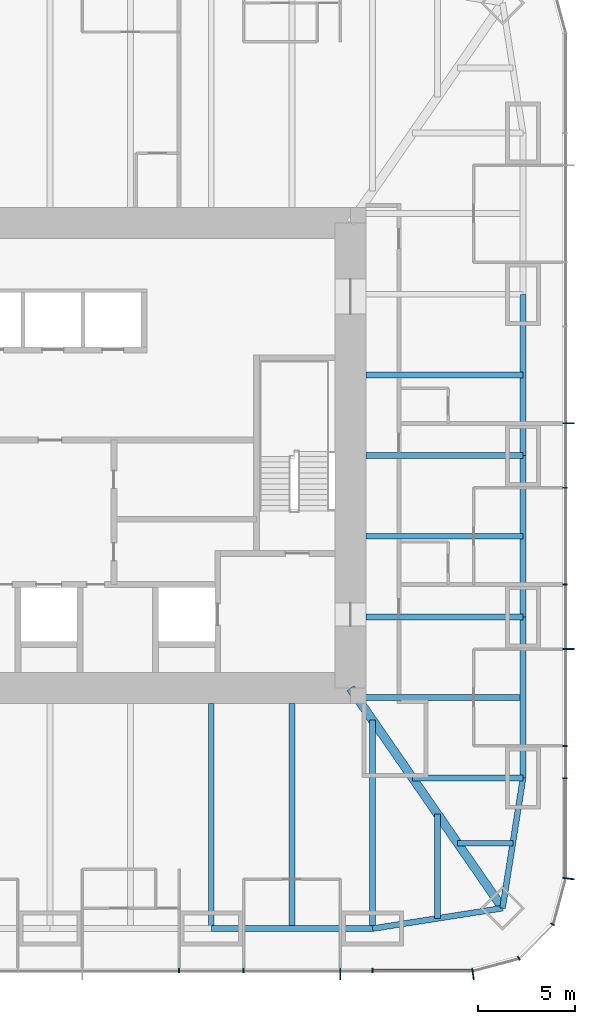
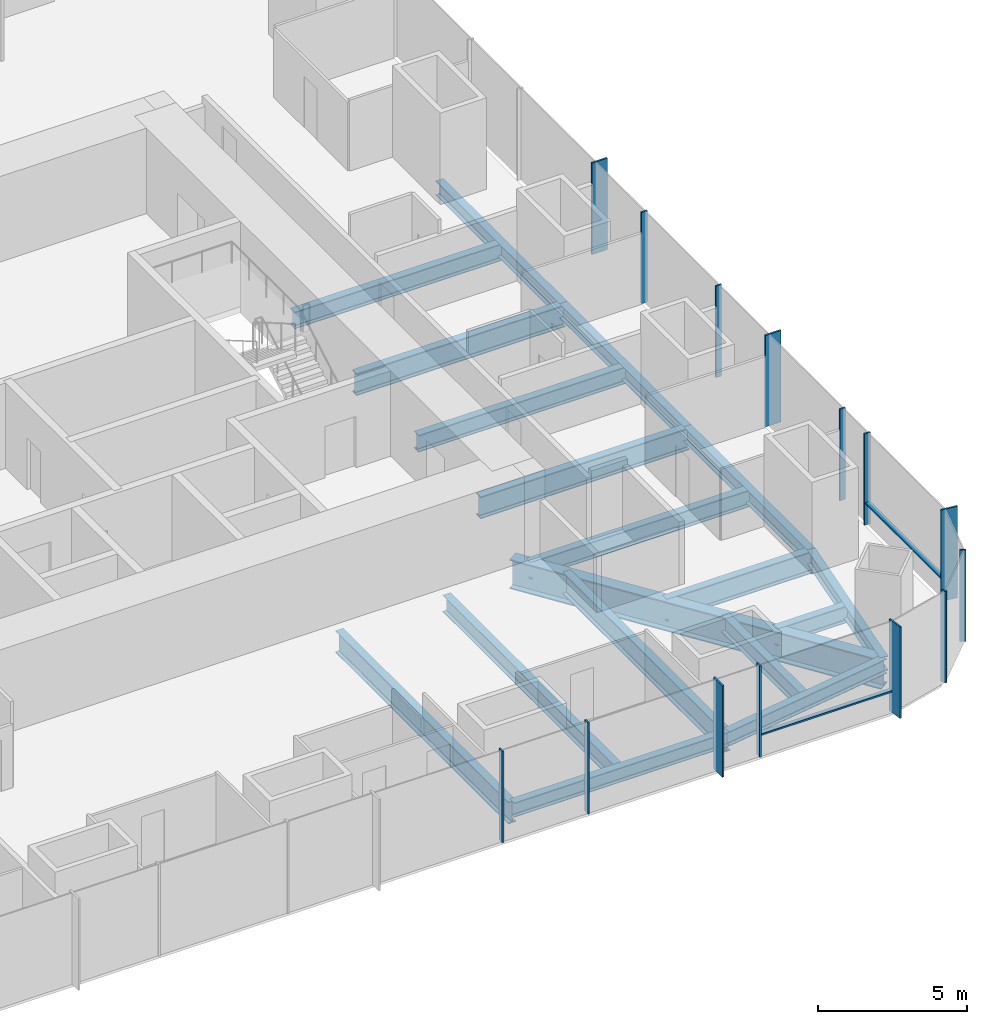
# One storey, part 4 of 12: 18 beams, 16 members, 3 elements without a shape of their own.
"""IFC4 building model written with IfcOpenShell, lengths in metres."""

from ifc_helpers import new_model, si_unit, direction, frame, origin, origin_2d, place, context, subcontext, project, spatial, rectangle, i_section, extrude, material, material_profile, profile_set, type_object, element, aggregate, save


model = new_model("IFC4")

# Units and contexts
model_context = context("Model", 3, precision=1e-05, world=origin(), true_north=direction((0.0, 1.0)))
body_context = subcontext(model_context, "Body", "Model", "MODEL_VIEW")
ifc_project = project(units=[si_unit("LENGTHUNIT", "METRE"), si_unit("AREAUNIT", "SQUARE_METRE"), si_unit("VOLUMEUNIT", "CUBIC_METRE"), si_unit("PLANEANGLEUNIT", "RADIAN"), si_unit("MASSUNIT", "GRAM", prefix="KILO")], contexts=[model_context])

# Site, building, storey
site_placement = place(None, origin())
site = spatial("IfcSite", under=ifc_project, at=site_placement, CompositionType="ELEMENT")
building_placement = place(site_placement, origin())
building = spatial("IfcBuilding", under=site, at=building_placement, Name="Khuree Lantern Residences", CompositionType="ELEMENT")
storey_placement = place(building_placement, frame((0.0, 0.0, 207.0)))
storey = spatial("IfcBuildingStorey", under=building, at=storey_placement, Name="L51", CompositionType="ELEMENT", Elevation=207.0)

# Beams
ifc_material_1 = material(Name="Steel S355", Category="steel")
ifc_material_profile_1 = material_profile(ifc_material_1, i_section(OverallWidth=0.300048828125, OverallDepth=0.68994140625, WebThickness=0.014404296875, FlangeThickness=0.027099609375, FilletRadius=0.027099609375, at=origin_2d()), Name="HE 700 A")
ifc_profile_set_1 = profile_set([ifc_material_profile_1], Name="Steel S355")
beam_type_1 = type_object("IfcBeamType", Name="B-31 SECONDARY BEAM HE 700 A", PredefinedType="BEAM", material=ifc_profile_set_1)
for number, where, z_axis, x_axis, name in (
    (1, (24.39990234375, 4.159912109375, -0.594970703125), (-1.0, 0.0, 0.0), (0.0, -1.0, 0.0), "Secondary beam E3"),
    (2, (24.39990234375, -4.159912109375, -0.594970703125), (-1.0, 0.0, 0.0), (0.0, -1.0, 0.0), "Secondary beam E4"),
):
    element("IfcBeam", number, at=place(storey_placement, frame(where, z_axis=z_axis, x_axis=x_axis)), inside=storey, type_object=beam_type_1, Name=name, PredefinedType="BEAM", context=body_context, shape_type="SweptSolid", body=[
        extrude(i_section(OverallWidth=0.300048828125, OverallDepth=0.68994140625, WebThickness=0.014404296875, FlangeThickness=0.027099609375, FilletRadius=0.027099609375, at=origin_2d()), origin(), (0.0, 0.0, 1.0), 8.099853515625),
    ])
beam_1_placement = place(storey_placement, frame((24.39990234375, -12.47998046875, -0.594970703125), z_axis=(-1.0, 0.0, 0.0), x_axis=(0.0, -1.0, 0.0)))
element("IfcBeam", 3, at=beam_1_placement, inside=storey, type_object=beam_type_1, Name="Secondary beam E5", PredefinedType="BEAM", context=body_context, shape_type="SweptSolid", body=[
    extrude(i_section(OverallWidth=0.300048828125, OverallDepth=0.68994140625, WebThickness=0.014404296875, FlangeThickness=0.027099609375, FilletRadius=0.027099609375, at=origin_2d()), origin(), (0.0, 0.0, 1.0), 8.56787109375),
])
beam_2_placement = place(storey_placement, frame((23.872802734375, -19.992919921875, -0.594970703125), z_axis=(-1.0, 0.0, 0.0), x_axis=(0.0, -1.0, 0.0)))
element("IfcBeam", 4, at=beam_2_placement, inside=storey, type_object=beam_type_1, Name="Secondary beam E6", PredefinedType="BEAM", context=body_context, shape_type="SweptSolid", body=[
    extrude(i_section(OverallWidth=0.300048828125, OverallDepth=0.68994140625, WebThickness=0.014404296875, FlangeThickness=0.027099609375, FilletRadius=0.027099609375, at=origin_2d()), origin(), (0.0, 0.0, 1.0), 2.845703125),
])
beam_3_placement = place(storey_placement, frame((19.992919921875, -23.872802734375, -0.594970703125), z_axis=(0.0, 1.0, 0.0), x_axis=(-1.0, 0.0, 0.0)))
element("IfcBeam", 5, at=beam_3_placement, inside=storey, type_object=beam_type_1, Name="Secondary beam S1", PredefinedType="BEAM", context=body_context, shape_type="SweptSolid", body=[
    extrude(i_section(OverallWidth=0.300048828125, OverallDepth=0.68994140625, WebThickness=0.014404296875, FlangeThickness=0.027099609375, FilletRadius=0.027099609375, at=origin_2d()), origin(), (0.0, 0.0, 1.0), 5.375732421875),
])
beam_4_placement = place(storey_placement, frame((12.47998046875, -24.39990234375, -0.594970703125), z_axis=(0.0, 1.0, 0.0), x_axis=(-1.0, 0.0, 0.0)))
element("IfcBeam", 6, at=beam_4_placement, inside=storey, type_object=beam_type_1, Name="Secondary beam S2", PredefinedType="BEAM", context=body_context, shape_type="SweptSolid", body=[
    extrude(i_section(OverallWidth=0.300048828125, OverallDepth=0.68994140625, WebThickness=0.014404296875, FlangeThickness=0.027099609375, FilletRadius=0.027099609375, at=origin_2d()), origin(), (0.0, 0.0, 1.0), 11.599853515625),
])
ifc_material_profile_2 = material_profile(ifc_material_1, i_section(OverallWidth=0.300048828125, OverallDepth=0.590087890625, WebThickness=0.012939453125, FlangeThickness=0.02490234375, FilletRadius=0.027099609375, at=origin_2d()), Name="HE 600 A")
ifc_profile_set_2 = profile_set([ifc_material_profile_2], Name="Steel S355")
beam_type_2 = type_object("IfcBeamType", Name="E-31 SPANDREL BEAM HE 600 A", PredefinedType="SPANDREL", material=ifc_profile_set_2)
for number, where, z_axis, x_axis, name in (
    (7, (24.39990234375, 8.320068359375, -0.544921875), (0.0, -1.0, 0.0), (1.0, 0.0, 0.0), "Spandrel beam E3"),
    (8, (24.39990234375, 0.0, -0.544921875), (0.0, -1.0, 0.0), (1.0, 0.0, 0.0), "Spandrel beam E4"),
):
    element("IfcBeam", number, at=place(storey_placement, frame(where, z_axis=z_axis, x_axis=x_axis)), inside=storey, type_object=beam_type_2, Name=name, PredefinedType="SPANDREL", context=body_context, shape_type="SweptSolid", body=[
        extrude(i_section(OverallWidth=0.300048828125, OverallDepth=0.590087890625, WebThickness=0.012939453125, FlangeThickness=0.02490234375, FilletRadius=0.027099609375, at=origin_2d()), origin(), (0.0, 0.0, 1.0), 8.320068359375),
    ])
beam_5_placement = place(storey_placement, frame((24.39990234375, -8.320068359375, -0.544921875), z_axis=(0.0, -1.0, 0.0), x_axis=(1.0, 0.0, 0.0)))
element("IfcBeam", 9, at=beam_5_placement, inside=storey, type_object=beam_type_2, Name="Spandrel beam E5", PredefinedType="SPANDREL", context=body_context, shape_type="SweptSolid", body=[
    extrude(i_section(OverallWidth=0.300048828125, OverallDepth=0.590087890625, WebThickness=0.012939453125, FlangeThickness=0.02490234375, FilletRadius=0.027099609375, at=origin_2d()), origin(), (0.0, 0.0, 1.0), 8.31982421875),
])
for number, where, z_axis, x_axis, name in (
    (10, (24.39990234375, -16.639892578125, -0.544921875), (-0.155299507442, -0.98786743189, 0.0), (0.98786743189, -0.155299507442, 0.0), "Spandrel beam E6"),
    (11, (23.345703125, -23.345703125, -0.544921875), (-0.98786743189, -0.155299507442, 0.0), (0.155299507442, -0.98786743189, 0.0), "Spandrel beam S1"),
):
    element("IfcBeam", number, at=place(storey_placement, frame(where, z_axis=z_axis, x_axis=x_axis)), inside=storey, type_object=beam_type_2, Name=name, PredefinedType="SPANDREL", context=body_context, shape_type="SweptSolid", body=[
        extrude(i_section(OverallWidth=0.300048828125, OverallDepth=0.590087890625, WebThickness=0.012939453125, FlangeThickness=0.02490234375, FilletRadius=0.027099609375, at=origin_2d()), origin(), (0.0, 0.0, 1.0), 6.7880859375),
    ])
beam_6_placement = place(storey_placement, frame((16.639892578125, -24.39990234375, -0.544921875), z_axis=(-1.0, 0.0, 0.0), x_axis=(0.0, -1.0, 0.0)))
element("IfcBeam", 12, at=beam_6_placement, inside=storey, type_object=beam_type_2, Name="Spandrel beam S2", PredefinedType="SPANDREL", context=body_context, shape_type="SweptSolid", body=[
    extrude(i_section(OverallWidth=0.300048828125, OverallDepth=0.590087890625, WebThickness=0.012939453125, FlangeThickness=0.02490234375, FilletRadius=0.027099609375, at=origin_2d()), origin(), (0.0, 0.0, 1.0), 8.31982421875),
])

# Curtain wall, member
ifc_material_2 = material(Name="Bronze anodised aluminium", Category="aluminium")
curtain_wall_type_1 = type_object("IfcCurtainWallType", Name="CW-T2 TOWER CORNER CURTAIN WALL", PredefinedType="USERDEFINED", material=ifc_material_2)
curtain_wall_1_placement = place(storey_placement, origin())
curtain_wall_1 = element("IfcCurtainWall", 13, at=curtain_wall_1_placement, inside=storey, type_object=curtain_wall_type_1, Name="L51 SOUTH-EAST CORNER CURTAIN WALL", ObjectType="Faceted corner curtain wall", PredefinedType="USERDEFINED")
ifc_material_profile_3 = material_profile(ifc_material_2, rectangle(XDim=0.06494140625, YDim=0.60009765625, at=origin_2d()), Name="F1 65X600")
ifc_profile_set_3 = profile_set([ifc_material_profile_3], Name="Bronze anodised aluminium")
member_type_1 = type_object("IfcMemberType", Name="F1 BRONZE FIN MULLION TOWER 65X600", PredefinedType="MULLION", material=ifc_profile_set_3)
member_1_placement = place(storey_placement, frame((21.81982421875, -26.75, 0.0), z_axis=(0.0, 0.0, 1.0), x_axis=(0.991444862943, 0.130526180298, 0.0)))
member_1 = element("IfcMember", 14, at=member_1_placement, type_object=member_type_1, Name="L51 SOUTH-EAST CORNER FIN MULLION 1", PredefinedType="MULLION", context=body_context, shape_type="SweptSolid", body=[
    extrude(rectangle(XDim=0.06494140625, YDim=0.60009765625, at=origin_2d()), origin(), (0.0, 0.0, 1.0), 3.75),
])

# Curtain wall, members
curtain_wall_type_2 = type_object("IfcCurtainWallType", Name="CW-T1 TOWER FACE CURTAIN WALL", PredefinedType="USERDEFINED", material=ifc_material_2)
curtain_wall_2_placement = place(storey_placement, origin())
curtain_wall_2 = element("IfcCurtainWall", 15, at=curtain_wall_2_placement, inside=storey, type_object=curtain_wall_type_2, Name="L51 EAST FACE CURTAIN WALL", ObjectType="Stick-built curtain wall", PredefinedType="USERDEFINED")
member_2_placement = place(storey_placement, frame((26.75, -21.81982421875, 0.0), z_axis=(0.0, 0.0, 1.0), x_axis=(0.130526180298, 0.991444862943, 0.0)))
member_2 = element("IfcMember", 16, at=member_2_placement, type_object=member_type_1, Name="L51 EAST FACE FIN MULLION 4", PredefinedType="MULLION", context=body_context, shape_type="SweptSolid", body=[
    extrude(rectangle(XDim=0.06494140625, YDim=0.60009765625, at=origin_2d()), origin(), (0.0, 0.0, 1.0), 3.75),
])
member_3_placement = place(storey_placement, frame((26.75, -9.98388671875, 0.0), z_axis=(0.0, 0.0, 1.0), x_axis=(0.0, 1.0, 0.0)))
member_3 = element("IfcMember", 17, at=member_3_placement, type_object=member_type_1, Name="L51 EAST FACE FIN MULLION 7", PredefinedType="MULLION", context=body_context, shape_type="SweptSolid", body=[
    extrude(rectangle(XDim=0.06494140625, YDim=0.60009765625, at=origin_2d()), origin(), (0.0, 0.0, 1.0), 3.75),
])
member_4_placement = place(storey_placement, frame((26.75, 1.6640625, 0.0), z_axis=(0.0, 0.0, 1.0), x_axis=(0.0, 1.0, 0.0)))
member_4 = element("IfcMember", 18, at=member_4_placement, type_object=member_type_1, Name="L51 EAST FACE FIN MULLION 10", PredefinedType="MULLION", context=body_context, shape_type="SweptSolid", body=[
    extrude(rectangle(XDim=0.06494140625, YDim=0.60009765625, at=origin_2d()), origin(), (0.0, 0.0, 1.0), 3.75),
])

# Curtain wall, member
curtain_wall_3_placement = place(storey_placement, origin())
curtain_wall_3 = element("IfcCurtainWall", 19, at=curtain_wall_3_placement, inside=storey, type_object=curtain_wall_type_2, Name="L51 SOUTH FACE CURTAIN WALL", ObjectType="Stick-built curtain wall", PredefinedType="USERDEFINED")
member_5_placement = place(storey_placement, frame((14.97607421875, -26.75, 0.0), z_axis=(0.0, 0.0, 1.0), x_axis=(1.0, 0.0, 0.0)))
member_5 = element("IfcMember", 20, at=member_5_placement, type_object=member_type_1, Name="L51 SOUTH FACE FIN MULLION 55", PredefinedType="MULLION", context=body_context, shape_type="SweptSolid", body=[
    extrude(rectangle(XDim=0.06494140625, YDim=0.60009765625, at=origin_2d()), origin(), (0.0, 0.0, 1.0), 3.75),
])

# Beams
ifc_material_profile_4 = material_profile(ifc_material_1, i_section(OverallWidth=0.300048828125, OverallDepth=0.89990234375, WebThickness=0.0185546875, FlangeThickness=0.034912109375, FilletRadius=0.030029296875, at=origin_2d()), Name="HE 900 B")
ifc_profile_set_4 = profile_set([ifc_material_profile_4], Name="Steel S355")
beam_type_3 = type_object("IfcBeamType", Name="G-31A GIRDER HE 900 B", PredefinedType="BEAM", material=ifc_profile_set_4)
for number, where, z_axis, x_axis, name in (
    (21, (24.39990234375, 0.0, -0.699951171875), (-1.0, 0.0, 0.0), (0.0, -1.0, 0.0), "Girder E3"),
    (22, (24.39990234375, -8.320068359375, -0.699951171875), (-1.0, 0.0, 0.0), (0.0, -1.0, 0.0), "Girder E4"),
):
    element("IfcBeam", number, at=place(storey_placement, frame(where, z_axis=z_axis, x_axis=x_axis)), inside=storey, type_object=beam_type_3, Name=name, PredefinedType="BEAM", context=body_context, shape_type="SweptSolid", body=[
        extrude(i_section(OverallWidth=0.300048828125, OverallDepth=0.89990234375, WebThickness=0.0185546875, FlangeThickness=0.034912109375, FilletRadius=0.030029296875, at=origin_2d()), origin(), (0.0, 0.0, 1.0), 8.099853515625),
    ])
beam_7_placement = place(storey_placement, frame((24.39990234375, -16.639892578125, -0.699951171875), z_axis=(-1.0, 0.0, 0.0), x_axis=(0.0, -1.0, 0.0)))
element("IfcBeam", 23, at=beam_7_placement, inside=storey, type_object=beam_type_3, Name="Girder E5", PredefinedType="BEAM", context=body_context, shape_type="SweptSolid", body=[
    extrude(i_section(OverallWidth=0.300048828125, OverallDepth=0.89990234375, WebThickness=0.0185546875, FlangeThickness=0.034912109375, FilletRadius=0.030029296875, at=origin_2d()), origin(), (0.0, 0.0, 1.0), 5.69140625),
])
beam_8_placement = place(storey_placement, frame((16.639892578125, -24.39990234375, -0.699951171875), z_axis=(0.0, 1.0, 0.0), x_axis=(-1.0, 0.0, 0.0)))
element("IfcBeam", 24, at=beam_8_placement, inside=storey, type_object=beam_type_3, Name="Girder S1", PredefinedType="BEAM", context=body_context, shape_type="SweptSolid", body=[
    extrude(i_section(OverallWidth=0.300048828125, OverallDepth=0.89990234375, WebThickness=0.0185546875, FlangeThickness=0.034912109375, FilletRadius=0.030029296875, at=origin_2d()), origin(), (0.0, 0.0, 1.0), 10.751220703125),
])
beam_9_placement = place(storey_placement, frame((8.320068359375, -24.39990234375, -0.699951171875), z_axis=(0.0, 1.0, 0.0), x_axis=(-1.0, 0.0, 0.0)))
element("IfcBeam", 25, at=beam_9_placement, inside=storey, type_object=beam_type_3, Name="Girder S2", PredefinedType="BEAM", context=body_context, shape_type="SweptSolid", body=[
    extrude(i_section(OverallWidth=0.300048828125, OverallDepth=0.89990234375, WebThickness=0.0185546875, FlangeThickness=0.034912109375, FilletRadius=0.030029296875, at=origin_2d()), origin(), (0.0, 0.0, 1.0), 11.599853515625),
])
ifc_material_profile_5 = material_profile(ifc_material_1, i_section(OverallWidth=0.449951171875, OverallDepth=1.199951171875, WebThickness=0.02490234375, FlangeThickness=0.044921875, at=origin_2d()), Name="WELDED I 1200X450X25X45")
ifc_profile_set_5 = profile_set([ifc_material_profile_5], Name="Steel S355")
beam_type_4 = type_object("IfcBeamType", Name="GD-31 CORNER GIRDER WELDED I 1200X450X25X45", PredefinedType="BEAM", material=ifc_profile_set_5)
beam_10_placement = place(storey_placement, frame((23.345703125, -23.345703125, -0.85009765625), z_axis=(-0.56876813501, 0.822497907959, 0.0), x_axis=(-0.822497907959, -0.56876813501, 0.0)))
element("IfcBeam", 26, at=beam_10_placement, inside=storey, type_object=beam_type_4, Name="Corner girder SE", PredefinedType="BEAM", context=body_context, shape_type="SweptSolid", body=[
    extrude(i_section(OverallWidth=0.449951171875, OverallDepth=1.199951171875, WebThickness=0.02490234375, FlangeThickness=0.044921875, at=origin_2d()), origin(), (0.0, 0.0, 1.0), 13.794189453125),
])

# Member
ifc_material_profile_6 = material_profile(ifc_material_2, rectangle(XDim=0.06494140625, YDim=0.219970703125, at=origin_2d()), Name="M1 65X220")
ifc_profile_set_6 = profile_set([ifc_material_profile_6], Name="Bronze anodised aluminium")
member_type_2 = type_object("IfcMemberType", Name="M1 BRONZE MULLION TOWER 65X220", PredefinedType="MULLION", material=ifc_profile_set_6)
member_6_placement = place(storey_placement, frame((24.179931640625, -25.92236328125, 0.0), z_axis=(0.0, 0.0, 1.0), x_axis=(0.866025409797, 0.499999989586, 0.0)))
member_6 = element("IfcMember", 27, at=member_6_placement, type_object=member_type_2, Name="L51 SOUTH-EAST CORNER MULLION 2", PredefinedType="MULLION", context=body_context, shape_type="SweptSolid", body=[
    extrude(rectangle(XDim=0.06494140625, YDim=0.219970703125, at=origin_2d()), origin(), (0.0, 0.0, 1.0), 3.75),
])

member_7_placement = place(storey_placement, frame((25.92236328125, -24.179931640625, 0.0), z_axis=(0.0, 0.0, 1.0), x_axis=(0.499999989586, 0.866025409797, 0.0)))
member_7 = element("IfcMember", 28, at=member_7_placement, type_object=member_type_2, Name="L51 SOUTH-EAST CORNER MULLION 3", PredefinedType="MULLION", context=body_context, shape_type="SweptSolid", body=[
    extrude(rectangle(XDim=0.06494140625, YDim=0.219970703125, at=origin_2d()), origin(), (0.0, 0.0, 1.0), 3.75),
])

aggregate(curtain_wall_1, [member_1, member_6, member_7])

member_8_placement = place(storey_placement, frame((26.56005859375, -16.639892578125, 0.0), z_axis=(0.0, 0.0, 1.0), x_axis=(0.0, 1.0, 0.0)))
member_8 = element("IfcMember", 29, at=member_8_placement, type_object=member_type_2, Name="L51 EAST FACE MULLION 5", PredefinedType="MULLION", context=body_context, shape_type="SweptSolid", body=[
    extrude(rectangle(XDim=0.06494140625, YDim=0.219970703125, at=origin_2d()), origin(), (0.0, 0.0, 1.0), 3.75),
])

member_9_placement = place(storey_placement, frame((26.56005859375, -14.97607421875, 0.0), z_axis=(0.0, 0.0, 1.0), x_axis=(0.0, 1.0, 0.0)))
member_9 = element("IfcMember", 30, at=member_9_placement, type_object=member_type_2, Name="L51 EAST FACE MULLION 6", PredefinedType="MULLION", context=body_context, shape_type="SweptSolid", body=[
    extrude(rectangle(XDim=0.06494140625, YDim=0.219970703125, at=origin_2d()), origin(), (0.0, 0.0, 1.0), 3.75),
])

member_10_placement = place(storey_placement, frame((26.56005859375, -6.656005859375, 0.0), z_axis=(0.0, 0.0, 1.0), x_axis=(0.0, 1.0, 0.0)))
member_10 = element("IfcMember", 31, at=member_10_placement, type_object=member_type_2, Name="L51 EAST FACE MULLION 8", PredefinedType="MULLION", context=body_context, shape_type="SweptSolid", body=[
    extrude(rectangle(XDim=0.06494140625, YDim=0.219970703125, at=origin_2d()), origin(), (0.0, 0.0, 1.0), 3.75),
])

member_11_placement = place(storey_placement, frame((26.56005859375, -1.6640625, 0.0), z_axis=(0.0, 0.0, 1.0), x_axis=(0.0, 1.0, 0.0)))
member_11 = element("IfcMember", 32, at=member_11_placement, type_object=member_type_2, Name="L51 EAST FACE MULLION 9", PredefinedType="MULLION", context=body_context, shape_type="SweptSolid", body=[
    extrude(rectangle(XDim=0.06494140625, YDim=0.219970703125, at=origin_2d()), origin(), (0.0, 0.0, 1.0), 3.75),
])

member_12_placement = place(storey_placement, frame((6.656005859375, -26.56005859375, 0.0), z_axis=(0.0, 0.0, 1.0), x_axis=(1.0, 0.0, 0.0)))
member_12 = element("IfcMember", 33, at=member_12_placement, type_object=member_type_2, Name="L51 SOUTH FACE MULLION 53", PredefinedType="MULLION", context=body_context, shape_type="SweptSolid", body=[
    extrude(rectangle(XDim=0.06494140625, YDim=0.219970703125, at=origin_2d()), origin(), (0.0, 0.0, 1.0), 3.75),
])

member_13_placement = place(storey_placement, frame((9.98388671875, -26.56005859375, 0.0), z_axis=(0.0, 0.0, 1.0), x_axis=(1.0, 0.0, 0.0)))
member_13 = element("IfcMember", 34, at=member_13_placement, type_object=member_type_2, Name="L51 SOUTH FACE MULLION 54", PredefinedType="MULLION", context=body_context, shape_type="SweptSolid", body=[
    extrude(rectangle(XDim=0.06494140625, YDim=0.219970703125, at=origin_2d()), origin(), (0.0, 0.0, 1.0), 3.75),
])

member_14_placement = place(storey_placement, frame((16.639892578125, -26.56005859375, 0.0), z_axis=(0.0, 0.0, 1.0), x_axis=(1.0, 0.0, 0.0)))
member_14 = element("IfcMember", 35, at=member_14_placement, type_object=member_type_2, Name="L51 SOUTH FACE MULLION 56", PredefinedType="MULLION", context=body_context, shape_type="SweptSolid", body=[
    extrude(rectangle(XDim=0.06494140625, YDim=0.219970703125, at=origin_2d()), origin(), (0.0, 0.0, 1.0), 3.75),
])

ifc_material_profile_7 = material_profile(ifc_material_2, rectangle(XDim=0.179931640625, YDim=0.06494140625, at=origin_2d()), Name="T1 180X65")
ifc_profile_set_7 = profile_set([ifc_material_profile_7], Name="Bronze anodised aluminium")
member_type_3 = type_object("IfcMemberType", Name="TRANSOM T1 TOWER 180X65", PredefinedType="USERDEFINED", material=ifc_profile_set_7)
member_15_placement = place(storey_placement, frame((26.570068359375, -21.75146484375, 0.89990234375), z_axis=(0.0, 1.0, 0.0), x_axis=(-1.0, 0.0, 0.0)))
member_15 = element("IfcMember", 36, at=member_15_placement, type_object=member_type_3, Name="L51 EAST FACE TRANSOM 4.1", ObjectType="Transom", PredefinedType="USERDEFINED", context=body_context, shape_type="SweptSolid", body=[
    extrude(rectangle(XDim=0.179931640625, YDim=0.06494140625, at=origin_2d()), origin(), (0.0, 0.0, 1.0), 5.078857421875),
])

aggregate(curtain_wall_2, [member_2, member_8, member_9, member_3, member_10, member_11, member_4, member_15])

member_16_placement = place(storey_placement, frame((16.672607421875, -26.570068359375, 0.89990234375), z_axis=(1.0, 0.0, 0.0), x_axis=(0.0, 1.0, 0.0)))
member_16 = element("IfcMember", 37, at=member_16_placement, type_object=member_type_3, Name="L51 SOUTH FACE TRANSOM 56.1", ObjectType="Transom", PredefinedType="USERDEFINED", context=body_context, shape_type="SweptSolid", body=[
    extrude(rectangle(XDim=0.179931640625, YDim=0.06494140625, at=origin_2d()), origin(), (0.0, 0.0, 1.0), 5.078857421875),
])

aggregate(curtain_wall_3, [member_12, member_13, member_5, member_14, member_16])

save(model, "model.ifc")
